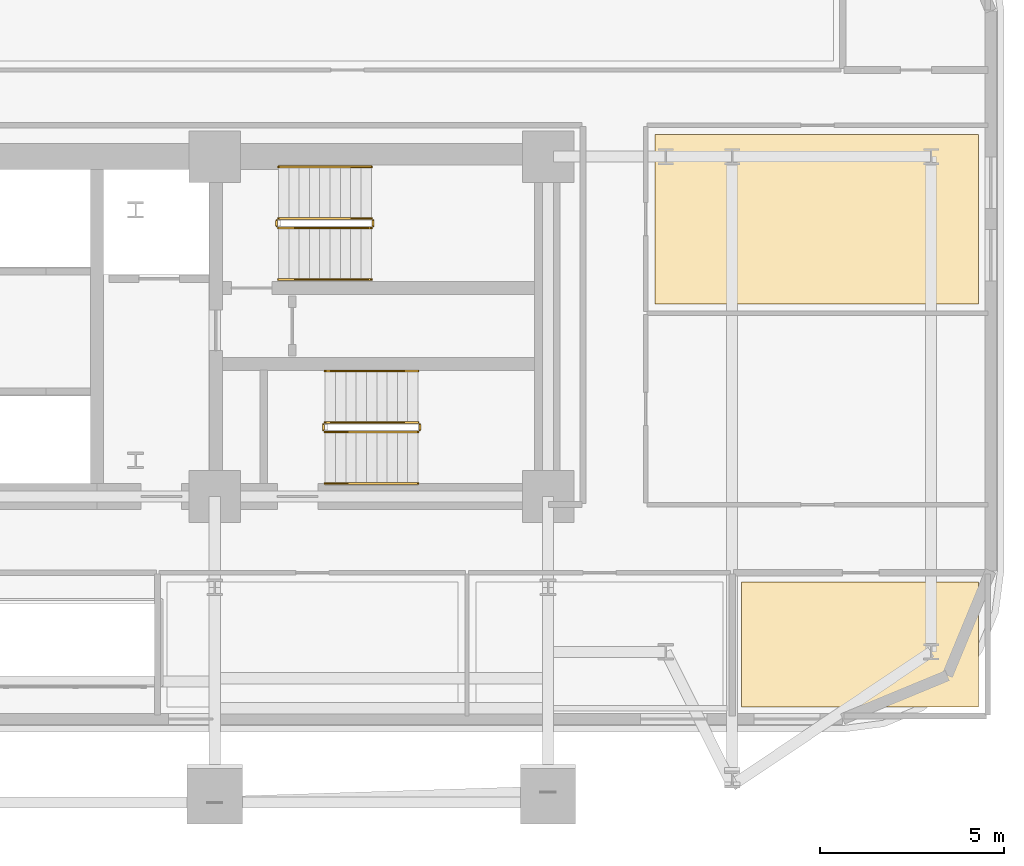
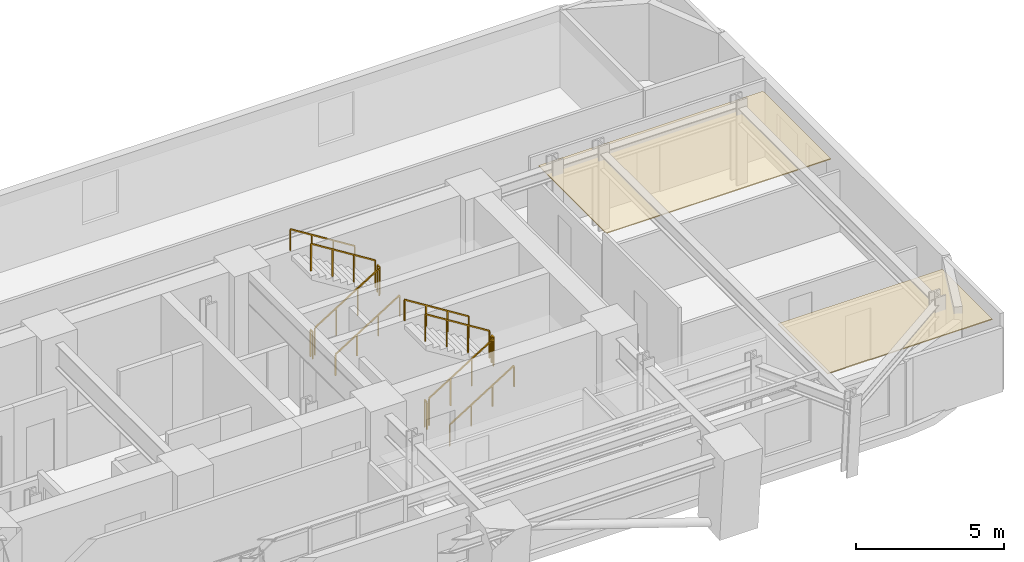
# One storey, part 14 of 15: 12 railings, 2 coverings.
"""IFC4 building model written with IfcOpenShell, lengths in metres."""

from ifc_helpers import new_model, si_unit, direction, frame, origin, origin_2d, place, context, subcontext, project, spatial, polyline, rectangle, outline, extrude, material, layer, layer_set, type_object, element, save


model = new_model("IFC4")

# Units and contexts
model_context = context("Model", 3, precision=1e-05, world=origin(), true_north=direction((0.0, 1.0)))
body_context = subcontext(model_context, "Body", "Model", "MODEL_VIEW")
ifc_project = project(units=[si_unit("LENGTHUNIT", "METRE"), si_unit("AREAUNIT", "SQUARE_METRE"), si_unit("VOLUMEUNIT", "CUBIC_METRE"), si_unit("PLANEANGLEUNIT", "RADIAN"), si_unit("MASSUNIT", "GRAM", prefix="KILO")], contexts=[model_context])

# Site, building, storey
site_placement = place(None, origin())
site = spatial("IfcSite", under=ifc_project, at=site_placement, CompositionType="ELEMENT")
building_placement = place(site_placement, origin())
building = spatial("IfcBuilding", under=site, at=building_placement, Name="Zarnavel Station Tower", CompositionType="ELEMENT")
storey_placement = place(building_placement, frame((0.0, 0.0, 71.0)))
storey = spatial("IfcBuildingStorey", under=building, at=storey_placement, Name="L19", CompositionType="ELEMENT", Elevation=71.0)

# Coverings
ifc_material_1 = material(Name="Perforated Gypsum and Mineral-Wool Acoustic Ceiling", Category="concrete")
ifc_layer = layer(ifc_material_1, 0.0400390625)
ifc_layer_set = layer_set([ifc_layer], Name="COV_CEIL_ACOUSTIC")
covering_type = type_object("IfcCoveringType", Name="COV_CEIL_ACOUSTIC", PredefinedType="CEILING", material=ifc_layer_set)
covering_1_placement = place(storey_placement, frame((0.0, 0.0, 2.860107421875)))
element("IfcCovering", 1, at=covering_1_placement, inside=storey, type_object=covering_type, Name="L19 FNE6B Acoustic Ceiling", PredefinedType="CEILING", context=body_context, shape_type="SweptSolid", body=[
    extrude(outline(polyline([(48.300048828125, 33.050048828125), (57.090087890625, 33.050048828125), (57.090087890625, 37.64990234375), (48.300048828125, 37.64990234375), (48.300048828125, 33.050048828125)])), origin(), (0.0, 0.0, 1.0), 0.039794921875),
])
covering_2_placement = place(storey_placement, frame((0.0, 0.0, 2.860107421875)))
element("IfcCovering", 2, at=covering_2_placement, inside=storey, type_object=covering_type, Name="L19 Z1KIT Acoustic Ceiling", PredefinedType="CEILING", context=body_context, shape_type="SweptSolid", body=[
    extrude(outline(polyline([(50.64990234375, 22.110107421875), (57.090087890625, 22.110107421875), (57.090087890625, 25.5), (50.64990234375, 25.5), (50.64990234375, 22.110107421875)])), origin(), (0.0, 0.0, 1.0), 0.039794921875),
])

# Railings
ifc_material_2 = material(Name="Painted Steel S355J2 Balustrade", Category="steel")
railing_type_1 = type_object("IfcRailingType", Name="GR_INT_1150", PredefinedType="GUARDRAIL", material=ifc_material_2)
railing_1_placement = place(storey_placement, frame((38.080078125, 35.110107421875, 0.175048828125)))
element("IfcRailing", 3, at=railing_1_placement, inside=storey, type_object=railing_type_1, Name="L19 ST2 stair guard 1", PredefinedType="GUARDRAIL", context=body_context, shape_type="SweptSolid", body=[
    extrude(rectangle(XDim=0.048095703125, YDim=0.048095703125, at=origin_2d()), frame((0.001708984375, 0.0, 1.126953125), z_axis=(0.848007534815, 0.0, 0.529984170421), x_axis=(0.0, 1.0, 0.0)), (0.0, 0.0, 1.0), 2.9677734375),
    extrude(rectangle(XDim=0.0419921875, YDim=0.0419921875, at=origin_2d()), origin(), (0.0, 0.0, 1.0), 1.101806640625),
    extrude(rectangle(XDim=0.0419921875, YDim=0.0419921875, at=origin_2d()), frame((0.840087890625, 0.0, 0.52490234375)), (0.0, 0.0, 1.0), 1.101806640625),
    extrude(rectangle(XDim=0.0419921875, YDim=0.0419921875, at=origin_2d()), frame((1.679931640625, 0.0, 1.050048828125)), (0.0, 0.0, 1.0), 1.101806640625),
    extrude(rectangle(XDim=0.0419921875, YDim=0.0419921875, at=origin_2d()), frame((2.52001953125, 0.0, 1.574951171875)), (0.0, 0.0, 1.0), 1.101806640625),
])
railing_2_placement = place(storey_placement, frame((40.64990234375, 35.159912109375, 1.75)))
element("IfcRailing", 4, at=railing_2_placement, inside=storey, type_object=railing_type_1, Name="L19 ST2 stair guard 2", PredefinedType="GUARDRAIL", context=body_context, shape_type="SweptSolid", body=[
    extrude(rectangle(XDim=0.048095703125, YDim=0.048095703125, at=origin_2d()), frame((0.0, 0.001953125, 1.1259765625), z_axis=(0.0, 1.0, 0.0), x_axis=(-1.0, 0.0, 0.0)), (0.0, 0.0, 1.0), 0.15625),
    extrude(rectangle(XDim=0.0419921875, YDim=0.0419921875, at=origin_2d()), origin(), (0.0, 0.0, 1.0), 1.101806640625),
    extrude(rectangle(XDim=0.0419921875, YDim=0.0419921875, at=origin_2d()), frame((0.0, 0.16015625, 0.0)), (0.0, 0.0, 1.0), 1.101806640625),
])
railing_3_placement = place(storey_placement, frame((40.60009765625, 35.3701171875, 1.925048828125)))
element("IfcRailing", 5, at=railing_3_placement, inside=storey, type_object=railing_type_1, Name="L19 ST2 stair guard 3", PredefinedType="GUARDRAIL", context=body_context, shape_type="SweptSolid", body=[
    extrude(rectangle(XDim=0.048095703125, YDim=0.048095703125, at=origin_2d()), frame((-0.001708984375, 0.0, 1.126953125), z_axis=(-0.848007534815, 0.0, 0.529984170421), x_axis=(0.0, -1.0, 0.0)), (0.0, 0.0, 1.0), 2.9677734375),
    extrude(rectangle(XDim=0.0419921875, YDim=0.0419921875, at=origin_2d()), origin(), (0.0, 0.0, 1.0), 1.101806640625),
    extrude(rectangle(XDim=0.0419921875, YDim=0.0419921875, at=origin_2d()), frame((-0.840087890625, 0.0, 0.52490234375)), (0.0, 0.0, 1.0), 1.101806640625),
    extrude(rectangle(XDim=0.0419921875, YDim=0.0419921875, at=origin_2d()), frame((-1.679931640625, 0.0, 1.050048828125)), (0.0, 0.0, 1.0), 1.101806640625),
    extrude(rectangle(XDim=0.0419921875, YDim=0.0419921875, at=origin_2d()), frame((-2.52001953125, 0.0, 1.574951171875)), (0.0, 0.0, 1.0), 1.101806640625),
])
railing_4_placement = place(storey_placement, frame((38.030029296875, 35.159912109375, 0.0)))
element("IfcRailing", 6, at=railing_4_placement, inside=storey, type_object=railing_type_1, Name="L19 ST2 stair guard 4", PredefinedType="GUARDRAIL", context=body_context, shape_type="SweptSolid", body=[
    extrude(rectangle(XDim=0.048095703125, YDim=0.048095703125, at=origin_2d()), frame((0.0, 0.001953125, 1.1259765625), z_axis=(0.0, 1.0, 0.0), x_axis=(-1.0, 0.0, 0.0)), (0.0, 0.0, 1.0), 0.15625),
    extrude(rectangle(XDim=0.0419921875, YDim=0.0419921875, at=origin_2d()), origin(), (0.0, 0.0, 1.0), 1.101806640625),
    extrude(rectangle(XDim=0.0419921875, YDim=0.0419921875, at=origin_2d()), frame((0.0, 0.16015625, 0.0)), (0.0, 0.0, 1.0), 1.101806640625),
])
railing_5_placement = place(storey_placement, frame((39.35009765625, 29.570068359375, 0.175048828125)))
element("IfcRailing", 7, at=railing_5_placement, inside=storey, type_object=railing_type_1, Name="L19 ST3 stair guard 1", PredefinedType="GUARDRAIL", context=body_context, shape_type="SweptSolid", body=[
    extrude(rectangle(XDim=0.048095703125, YDim=0.048095703125, at=origin_2d()), frame((0.001708984375, 0.0, 1.126953125), z_axis=(0.848007534815, 0.0, 0.529984170421), x_axis=(0.0, 1.0, 0.0)), (0.0, 0.0, 1.0), 2.9677734375),
    extrude(rectangle(XDim=0.0419921875, YDim=0.0419921875, at=origin_2d()), origin(), (0.0, 0.0, 1.0), 1.101806640625),
    extrude(rectangle(XDim=0.0419921875, YDim=0.0419921875, at=origin_2d()), frame((0.840087890625, 0.0, 0.52490234375)), (0.0, 0.0, 1.0), 1.101806640625),
    extrude(rectangle(XDim=0.0419921875, YDim=0.0419921875, at=origin_2d()), frame((1.679931640625, 0.0, 1.050048828125)), (0.0, 0.0, 1.0), 1.101806640625),
    extrude(rectangle(XDim=0.0419921875, YDim=0.0419921875, at=origin_2d()), frame((2.52001953125, 0.0, 1.574951171875)), (0.0, 0.0, 1.0), 1.101806640625),
])
railing_6_placement = place(storey_placement, frame((41.919921875, 29.6201171875, 1.75)))
element("IfcRailing", 8, at=railing_6_placement, inside=storey, type_object=railing_type_1, Name="L19 ST3 stair guard 2", PredefinedType="GUARDRAIL", context=body_context, shape_type="SweptSolid", body=[
    extrude(rectangle(XDim=0.048095703125, YDim=0.048095703125, at=origin_2d()), frame((0.0, 0.001953125, 1.1259765625), z_axis=(0.0, 1.0, 0.0), x_axis=(-1.0, 0.0, 0.0)), (0.0, 0.0, 1.0), 0.156005859375),
    extrude(rectangle(XDim=0.0419921875, YDim=0.0419921875, at=origin_2d()), origin(), (0.0, 0.0, 1.0), 1.101806640625),
    extrude(rectangle(XDim=0.0419921875, YDim=0.0419921875, at=origin_2d()), frame((0.0, 0.159912109375, 0.0)), (0.0, 0.0, 1.0), 1.101806640625),
])
railing_7_placement = place(storey_placement, frame((41.8701171875, 29.830078125, 1.925048828125)))
element("IfcRailing", 9, at=railing_7_placement, inside=storey, type_object=railing_type_1, Name="L19 ST3 stair guard 3", PredefinedType="GUARDRAIL", context=body_context, shape_type="SweptSolid", body=[
    extrude(rectangle(XDim=0.048095703125, YDim=0.048095703125, at=origin_2d()), frame((-0.001708984375, 0.0, 1.126953125), z_axis=(-0.848007534815, 0.0, 0.529984170421), x_axis=(0.0, -1.0, 0.0)), (0.0, 0.0, 1.0), 2.9677734375),
    extrude(rectangle(XDim=0.0419921875, YDim=0.0419921875, at=origin_2d()), origin(), (0.0, 0.0, 1.0), 1.101806640625),
    extrude(rectangle(XDim=0.0419921875, YDim=0.0419921875, at=origin_2d()), frame((-0.840087890625, 0.0, 0.52490234375)), (0.0, 0.0, 1.0), 1.101806640625),
    extrude(rectangle(XDim=0.0419921875, YDim=0.0419921875, at=origin_2d()), frame((-1.679931640625, 0.0, 1.050048828125)), (0.0, 0.0, 1.0), 1.101806640625),
    extrude(rectangle(XDim=0.0419921875, YDim=0.0419921875, at=origin_2d()), frame((-2.52001953125, 0.0, 1.574951171875)), (0.0, 0.0, 1.0), 1.101806640625),
])
railing_8_placement = place(storey_placement, frame((39.300048828125, 29.6201171875, 0.0)))
element("IfcRailing", 10, at=railing_8_placement, inside=storey, type_object=railing_type_1, Name="L19 ST3 stair guard 4", PredefinedType="GUARDRAIL", context=body_context, shape_type="SweptSolid", body=[
    extrude(rectangle(XDim=0.048095703125, YDim=0.048095703125, at=origin_2d()), frame((0.0, 0.001953125, 1.1259765625), z_axis=(0.0, 1.0, 0.0), x_axis=(-1.0, 0.0, 0.0)), (0.0, 0.0, 1.0), 0.156005859375),
    extrude(rectangle(XDim=0.0419921875, YDim=0.0419921875, at=origin_2d()), origin(), (0.0, 0.0, 1.0), 1.101806640625),
    extrude(rectangle(XDim=0.0419921875, YDim=0.0419921875, at=origin_2d()), frame((0.0, 0.159912109375, 0.0)), (0.0, 0.0, 1.0), 1.101806640625),
])
ifc_material_3 = material(Name="Brushed Stainless Steel S355J2 Handrail", Category="steel")
railing_type_2 = type_object("IfcRailingType", Name="HR_STAIR_900", PredefinedType="HANDRAIL", material=ifc_material_3)
railing_9_placement = place(storey_placement, frame((38.080078125, 33.7099609375, 0.175048828125)))
element("IfcRailing", 11, at=railing_9_placement, inside=storey, type_object=railing_type_2, Name="L19 ST2 stair handrail 1", PredefinedType="HANDRAIL", context=body_context, shape_type="SweptSolid", body=[
    extrude(rectangle(XDim=0.048095703125, YDim=0.048095703125, at=origin_2d()), frame((0.001708984375, 0.0, 0.876953125), z_axis=(0.848007534815, 0.0, 0.529984170421), x_axis=(0.0, 1.0, 0.0)), (0.0, 0.0, 1.0), 2.9677734375),
    extrude(rectangle(XDim=0.0419921875, YDim=0.0419921875, at=origin_2d()), origin(), (0.0, 0.0, 1.0), 0.851806640625),
    extrude(rectangle(XDim=0.0419921875, YDim=0.0419921875, at=origin_2d()), frame((0.840087890625, 0.0, 0.52490234375)), (0.0, 0.0, 1.0), 0.851806640625),
    extrude(rectangle(XDim=0.0419921875, YDim=0.0419921875, at=origin_2d()), frame((1.679931640625, 0.0, 1.050048828125)), (0.0, 0.0, 1.0), 0.851806640625),
    extrude(rectangle(XDim=0.0419921875, YDim=0.0419921875, at=origin_2d()), frame((2.52001953125, 0.0, 1.574951171875)), (0.0, 0.0, 1.0), 0.851806640625),
])
railing_10_placement = place(storey_placement, frame((40.60009765625, 36.77001953125, 1.925048828125)))
element("IfcRailing", 12, at=railing_10_placement, inside=storey, type_object=railing_type_2, Name="L19 ST2 stair handrail 2", PredefinedType="HANDRAIL", context=body_context, shape_type="SweptSolid", body=[
    extrude(rectangle(XDim=0.048095703125, YDim=0.048095703125, at=origin_2d()), frame((-0.001708984375, 0.0, 0.876953125), z_axis=(-0.848007534815, 0.0, 0.529984170421), x_axis=(0.0, -1.0, 0.0)), (0.0, 0.0, 1.0), 2.9677734375),
    extrude(rectangle(XDim=0.0419921875, YDim=0.0419921875, at=origin_2d()), origin(), (0.0, 0.0, 1.0), 0.851806640625),
    extrude(rectangle(XDim=0.0419921875, YDim=0.0419921875, at=origin_2d()), frame((-0.840087890625, 0.0, 0.52490234375)), (0.0, 0.0, 1.0), 0.851806640625),
    extrude(rectangle(XDim=0.0419921875, YDim=0.0419921875, at=origin_2d()), frame((-1.679931640625, 0.0, 1.050048828125)), (0.0, 0.0, 1.0), 0.851806640625),
    extrude(rectangle(XDim=0.0419921875, YDim=0.0419921875, at=origin_2d()), frame((-2.52001953125, 0.0, 1.574951171875)), (0.0, 0.0, 1.0), 0.851806640625),
])
railing_11_placement = place(storey_placement, frame((39.35009765625, 28.169921875, 0.175048828125)))
element("IfcRailing", 13, at=railing_11_placement, inside=storey, type_object=railing_type_2, Name="L19 ST3 stair handrail 1", PredefinedType="HANDRAIL", context=body_context, shape_type="SweptSolid", body=[
    extrude(rectangle(XDim=0.048095703125, YDim=0.048095703125, at=origin_2d()), frame((0.001708984375, 0.0, 0.876953125), z_axis=(0.848007534815, 0.0, 0.529984170421), x_axis=(0.0, 1.0, 0.0)), (0.0, 0.0, 1.0), 2.9677734375),
    extrude(rectangle(XDim=0.0419921875, YDim=0.0419921875, at=origin_2d()), origin(), (0.0, 0.0, 1.0), 0.851806640625),
    extrude(rectangle(XDim=0.0419921875, YDim=0.0419921875, at=origin_2d()), frame((0.840087890625, 0.0, 0.52490234375)), (0.0, 0.0, 1.0), 0.851806640625),
    extrude(rectangle(XDim=0.0419921875, YDim=0.0419921875, at=origin_2d()), frame((1.679931640625, 0.0, 1.050048828125)), (0.0, 0.0, 1.0), 0.851806640625),
    extrude(rectangle(XDim=0.0419921875, YDim=0.0419921875, at=origin_2d()), frame((2.52001953125, 0.0, 1.574951171875)), (0.0, 0.0, 1.0), 0.851806640625),
])
railing_12_placement = place(storey_placement, frame((41.8701171875, 31.22998046875, 1.925048828125)))
element("IfcRailing", 14, at=railing_12_placement, inside=storey, type_object=railing_type_2, Name="L19 ST3 stair handrail 2", PredefinedType="HANDRAIL", context=body_context, shape_type="SweptSolid", body=[
    extrude(rectangle(XDim=0.048095703125, YDim=0.048095703125, at=origin_2d()), frame((-0.001708984375, 0.0, 0.876953125), z_axis=(-0.848007534815, 0.0, 0.529984170421), x_axis=(0.0, -1.0, 0.0)), (0.0, 0.0, 1.0), 2.9677734375),
    extrude(rectangle(XDim=0.0419921875, YDim=0.0419921875, at=origin_2d()), origin(), (0.0, 0.0, 1.0), 0.851806640625),
    extrude(rectangle(XDim=0.0419921875, YDim=0.0419921875, at=origin_2d()), frame((-0.840087890625, 0.0, 0.52490234375)), (0.0, 0.0, 1.0), 0.851806640625),
    extrude(rectangle(XDim=0.0419921875, YDim=0.0419921875, at=origin_2d()), frame((-1.679931640625, 0.0, 1.050048828125)), (0.0, 0.0, 1.0), 0.851806640625),
    extrude(rectangle(XDim=0.0419921875, YDim=0.0419921875, at=origin_2d()), frame((-2.52001953125, 0.0, 1.574951171875)), (0.0, 0.0, 1.0), 0.851806640625),
])

save(model, "model.ifc")
